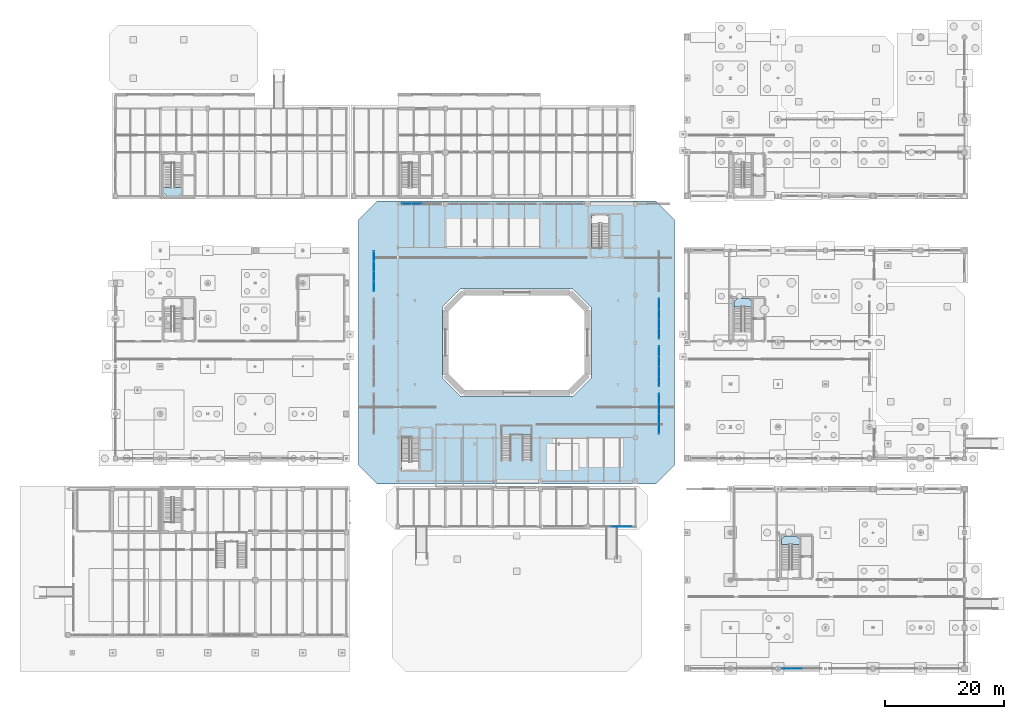
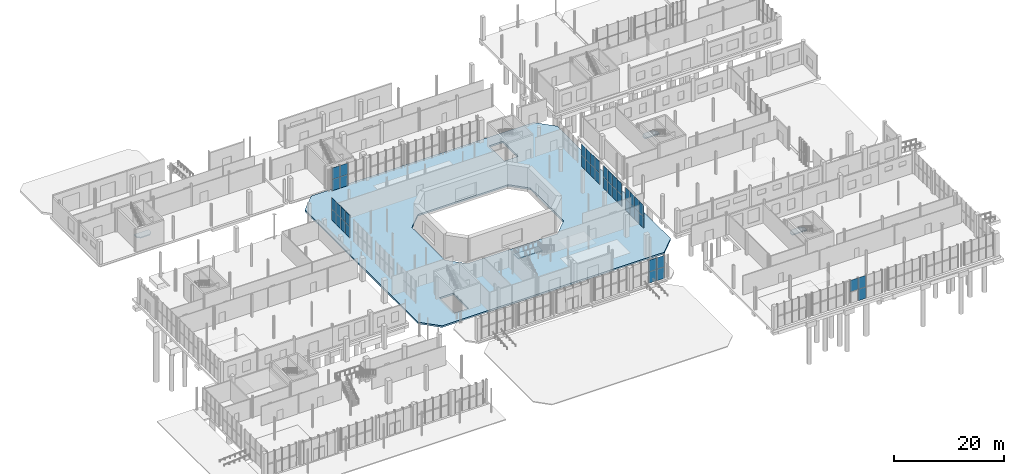
# One storey, part 60 of 87: 43 plates, 5 slabs, 11 elements without a shape of their own.
"""IFC4 building model written with IfcOpenShell, lengths in metres."""

from ifc_helpers import new_model, si_unit, direction, frame, origin, origin_2d, place, context, subcontext, project, spatial, polyline, rectangle, outline, extrude, material, layer, layer_set, type_object, element, aggregate, save


model = new_model("IFC4")

# Units and contexts
model_context = context("Model", 3, precision=1e-05, world=origin(), true_north=direction((0.0, 1.0)))
body_context = subcontext(model_context, "Body", "Model", "MODEL_VIEW")
ifc_project = project(units=[si_unit("LENGTHUNIT", "METRE"), si_unit("AREAUNIT", "SQUARE_METRE"), si_unit("VOLUMEUNIT", "CUBIC_METRE"), si_unit("PLANEANGLEUNIT", "RADIAN"), si_unit("MASSUNIT", "GRAM", prefix="KILO")], contexts=[model_context])

# Site, building, storey
site_placement = place(None, origin())
site = spatial("IfcSite", under=ifc_project, at=site_placement, CompositionType="ELEMENT")
building_placement = place(site_placement, origin())
building = spatial("IfcBuilding", under=site, at=building_placement, Name="Brisemont Oceanarium", CompositionType="ELEMENT")
storey_placement = place(building_placement, origin())
storey = spatial("IfcBuildingStorey", under=building, at=storey_placement, Name="L00", CompositionType="ELEMENT", Elevation=0.0)

# Curtain wall, plates
ifc_material_1 = material(Name="Anodized Extruded Aluminum 6063-T6", Category="aluminium")
curtain_wall_type_1 = type_object("IfcCurtainWallType", Name="CW-ROT-69X50", PredefinedType="NOTDEFINED", material=ifc_material_1)
curtain_wall_1_placement = place(storey_placement, origin())
curtain_wall_1 = element("IfcCurtainWall", 1, at=curtain_wall_1_placement, inside=storey, type_object=curtain_wall_type_1, Name="CW-01 curtain wall CW-V1-N-L00-01", PredefinedType="NOTDEFINED")
ifc_material_2 = material(Name="Insulated Low-E Laminated Glass", Category="glass")
ifc_layer_1 = layer(ifc_material_2, 0.028076171875)
ifc_layer_set_1 = layer_set([ifc_layer_1], Name="Insulated Low-E Laminated Glass")
plate_type_1 = type_object("IfcPlateType", Name="PLT-CWP-V1", PredefinedType="CURTAIN_PANEL", material=ifc_layer_set_1)
plate_1_placement = place(storey_placement, frame((65.487548828125, 79.35009765625, 0.00146484375), z_axis=(0.0, 0.0, 1.0), x_axis=(1.0, 0.0, 0.0)))
plate_1 = element("IfcPlate", 2, at=plate_1_placement, type_object=plate_type_1, Name="CW-V1-N-L00-01 panel 1.1", PredefinedType="CURTAIN_PANEL", context=body_context, shape_type="SweptSolid", body=[
    extrude(rectangle(XDim=1.672119140625, YDim=0.028076171875, at=origin_2d()), origin(), (0.0, 0.0, 1.0), 2.527099609375),
])
plate_2_placement = place(storey_placement, frame((65.487548828125, 79.35009765625, 2.53125), z_axis=(0.0, 0.0, 1.0), x_axis=(1.0, 0.0, 0.0)))
plate_2 = element("IfcPlate", 3, at=plate_2_placement, type_object=plate_type_1, Name="CW-V1-N-L00-01 panel 1.2", PredefinedType="CURTAIN_PANEL", context=body_context, shape_type="SweptSolid", body=[
    extrude(rectangle(XDim=1.672119140625, YDim=0.028076171875, at=origin_2d()), origin(), (0.0, 0.0, 1.0), 2.527099609375),
])
plate_3_placement = place(storey_placement, frame((67.16259765625, 79.35009765625, 0.00146484375), z_axis=(0.0, 0.0, 1.0), x_axis=(1.0, 0.0, 0.0)))
plate_3 = element("IfcPlate", 4, at=plate_3_placement, type_object=plate_type_1, Name="CW-V1-N-L00-01 panel 2.1", PredefinedType="CURTAIN_PANEL", context=body_context, shape_type="SweptSolid", body=[
    extrude(rectangle(XDim=1.672119140625, YDim=0.028076171875, at=origin_2d()), origin(), (0.0, 0.0, 1.0), 2.527099609375),
])
plate_4_placement = place(storey_placement, frame((67.16259765625, 79.35009765625, 2.53125), z_axis=(0.0, 0.0, 1.0), x_axis=(1.0, 0.0, 0.0)))
plate_4 = element("IfcPlate", 5, at=plate_4_placement, type_object=plate_type_1, Name="CW-V1-N-L00-01 panel 2.2", PredefinedType="CURTAIN_PANEL", context=body_context, shape_type="SweptSolid", body=[
    extrude(rectangle(XDim=1.672119140625, YDim=0.028076171875, at=origin_2d()), origin(), (0.0, 0.0, 1.0), 2.527099609375),
])
aggregate(curtain_wall_1, [plate_1, plate_2, plate_3, plate_4])

curtain_wall_2_placement = place(storey_placement, origin())
curtain_wall_2 = element("IfcCurtainWall", 6, at=curtain_wall_2_placement, inside=storey, type_object=curtain_wall_type_1, Name="CW-01 curtain wall CW-V1-W-L00-04", PredefinedType="NOTDEFINED")
plate_5_placement = place(storey_placement, frame((60.0, 65.487548828125, 0.00146484375), z_axis=(0.0, 0.0, 1.0), x_axis=(0.0, 1.0, 0.0)))
plate_5 = element("IfcPlate", 7, at=plate_5_placement, type_object=plate_type_1, Name="CW-V1-W-L00-04 panel 1.1", PredefinedType="CURTAIN_PANEL", context=body_context, shape_type="SweptSolid", body=[
    extrude(rectangle(XDim=1.672119140625, YDim=0.028076171875, at=origin_2d()), origin(), (0.0, 0.0, 1.0), 2.527099609375),
])
plate_6_placement = place(storey_placement, frame((60.0, 65.487548828125, 2.53125), z_axis=(0.0, 0.0, 1.0), x_axis=(0.0, 1.0, 0.0)))
plate_6 = element("IfcPlate", 8, at=plate_6_placement, type_object=plate_type_1, Name="CW-V1-W-L00-04 panel 1.2", PredefinedType="CURTAIN_PANEL", context=body_context, shape_type="SweptSolid", body=[
    extrude(rectangle(XDim=1.672119140625, YDim=0.028076171875, at=origin_2d()), origin(), (0.0, 0.0, 1.0), 2.527099609375),
])
plate_7_placement = place(storey_placement, frame((60.0, 67.16259765625, 0.00146484375), z_axis=(0.0, 0.0, 1.0), x_axis=(0.0, 1.0, 0.0)))
plate_7 = element("IfcPlate", 9, at=plate_7_placement, type_object=plate_type_1, Name="CW-V1-W-L00-04 panel 2.1", PredefinedType="CURTAIN_PANEL", context=body_context, shape_type="SweptSolid", body=[
    extrude(rectangle(XDim=1.672119140625, YDim=0.028076171875, at=origin_2d()), origin(), (0.0, 0.0, 1.0), 2.527099609375),
])
plate_8_placement = place(storey_placement, frame((60.0, 67.16259765625, 2.53125), z_axis=(0.0, 0.0, 1.0), x_axis=(0.0, 1.0, 0.0)))
plate_8 = element("IfcPlate", 10, at=plate_8_placement, type_object=plate_type_1, Name="CW-V1-W-L00-04 panel 2.2", PredefinedType="CURTAIN_PANEL", context=body_context, shape_type="SweptSolid", body=[
    extrude(rectangle(XDim=1.672119140625, YDim=0.028076171875, at=origin_2d()), origin(), (0.0, 0.0, 1.0), 2.527099609375),
])
plate_9_placement = place(storey_placement, frame((60.0, 68.83740234375, 0.00146484375), z_axis=(0.0, 0.0, 1.0), x_axis=(0.0, 1.0, 0.0)))
plate_9 = element("IfcPlate", 11, at=plate_9_placement, type_object=plate_type_1, Name="CW-V1-W-L00-04 panel 3.1", PredefinedType="CURTAIN_PANEL", context=body_context, shape_type="SweptSolid", body=[
    extrude(rectangle(XDim=1.672119140625, YDim=0.028076171875, at=origin_2d()), origin(), (0.0, 0.0, 1.0), 2.527099609375),
])
plate_10_placement = place(storey_placement, frame((60.0, 68.83740234375, 2.53125), z_axis=(0.0, 0.0, 1.0), x_axis=(0.0, 1.0, 0.0)))
plate_10 = element("IfcPlate", 12, at=plate_10_placement, type_object=plate_type_1, Name="CW-V1-W-L00-04 panel 3.2", PredefinedType="CURTAIN_PANEL", context=body_context, shape_type="SweptSolid", body=[
    extrude(rectangle(XDim=1.672119140625, YDim=0.028076171875, at=origin_2d()), origin(), (0.0, 0.0, 1.0), 2.527099609375),
])
plate_11_placement = place(storey_placement, frame((60.0, 70.512451171875, 0.00146484375), z_axis=(0.0, 0.0, 1.0), x_axis=(0.0, 1.0, 0.0)))
plate_11 = element("IfcPlate", 13, at=plate_11_placement, type_object=plate_type_1, Name="CW-V1-W-L00-04 panel 4.1", PredefinedType="CURTAIN_PANEL", context=body_context, shape_type="SweptSolid", body=[
    extrude(rectangle(XDim=1.672119140625, YDim=0.028076171875, at=origin_2d()), origin(), (0.0, 0.0, 1.0), 2.527099609375),
])
plate_12_placement = place(storey_placement, frame((60.0, 70.512451171875, 2.53125), z_axis=(0.0, 0.0, 1.0), x_axis=(0.0, 1.0, 0.0)))
plate_12 = element("IfcPlate", 14, at=plate_12_placement, type_object=plate_type_1, Name="CW-V1-W-L00-04 panel 4.2", PredefinedType="CURTAIN_PANEL", context=body_context, shape_type="SweptSolid", body=[
    extrude(rectangle(XDim=1.672119140625, YDim=0.028076171875, at=origin_2d()), origin(), (0.0, 0.0, 1.0), 2.527099609375),
])
aggregate(curtain_wall_2, [plate_5, plate_6, plate_7, plate_8, plate_9, plate_10, plate_11, plate_12])

curtain_wall_3_placement = place(storey_placement, origin())
curtain_wall_3 = element("IfcCurtainWall", 15, at=curtain_wall_3_placement, inside=storey, type_object=curtain_wall_type_1, Name="CW-01 curtain wall CW-V1-E-L00-01", PredefinedType="NOTDEFINED")
plate_13_placement = place(storey_placement, frame((108.0, 41.487548828125, 0.00146484375), z_axis=(0.0, 0.0, 1.0), x_axis=(0.0, 1.0, 0.0)))
plate_13 = element("IfcPlate", 16, at=plate_13_placement, type_object=plate_type_1, Name="CW-V1-E-L00-01 panel 1.1", PredefinedType="CURTAIN_PANEL", context=body_context, shape_type="SweptSolid", body=[
    extrude(rectangle(XDim=1.672119140625, YDim=0.028076171875, at=origin_2d()), origin(), (0.0, 0.0, 1.0), 2.527099609375),
])
plate_14_placement = place(storey_placement, frame((108.0, 41.487548828125, 2.53125), z_axis=(0.0, 0.0, 1.0), x_axis=(0.0, 1.0, 0.0)))
plate_14 = element("IfcPlate", 17, at=plate_14_placement, type_object=plate_type_1, Name="CW-V1-E-L00-01 panel 1.2", PredefinedType="CURTAIN_PANEL", context=body_context, shape_type="SweptSolid", body=[
    extrude(rectangle(XDim=1.672119140625, YDim=0.028076171875, at=origin_2d()), origin(), (0.0, 0.0, 1.0), 2.527099609375),
])
plate_15_placement = place(storey_placement, frame((108.0, 43.16259765625, 0.00146484375), z_axis=(0.0, 0.0, 1.0), x_axis=(0.0, 1.0, 0.0)))
plate_15 = element("IfcPlate", 18, at=plate_15_placement, type_object=plate_type_1, Name="CW-V1-E-L00-01 panel 2.1", PredefinedType="CURTAIN_PANEL", context=body_context, shape_type="SweptSolid", body=[
    extrude(rectangle(XDim=1.672119140625, YDim=0.028076171875, at=origin_2d()), origin(), (0.0, 0.0, 1.0), 2.527099609375),
])
plate_16_placement = place(storey_placement, frame((108.0, 43.16259765625, 2.53125), z_axis=(0.0, 0.0, 1.0), x_axis=(0.0, 1.0, 0.0)))
plate_16 = element("IfcPlate", 19, at=plate_16_placement, type_object=plate_type_1, Name="CW-V1-E-L00-01 panel 2.2", PredefinedType="CURTAIN_PANEL", context=body_context, shape_type="SweptSolid", body=[
    extrude(rectangle(XDim=1.672119140625, YDim=0.028076171875, at=origin_2d()), origin(), (0.0, 0.0, 1.0), 2.527099609375),
])
plate_17_placement = place(storey_placement, frame((108.0, 44.83740234375, 0.00146484375), z_axis=(0.0, 0.0, 1.0), x_axis=(0.0, 1.0, 0.0)))
plate_17 = element("IfcPlate", 20, at=plate_17_placement, type_object=plate_type_1, Name="CW-V1-E-L00-01 panel 3.1", PredefinedType="CURTAIN_PANEL", context=body_context, shape_type="SweptSolid", body=[
    extrude(rectangle(XDim=1.672119140625, YDim=0.028076171875, at=origin_2d()), origin(), (0.0, 0.0, 1.0), 2.527099609375),
])
plate_18_placement = place(storey_placement, frame((108.0, 44.83740234375, 2.53125), z_axis=(0.0, 0.0, 1.0), x_axis=(0.0, 1.0, 0.0)))
plate_18 = element("IfcPlate", 21, at=plate_18_placement, type_object=plate_type_1, Name="CW-V1-E-L00-01 panel 3.2", PredefinedType="CURTAIN_PANEL", context=body_context, shape_type="SweptSolid", body=[
    extrude(rectangle(XDim=1.672119140625, YDim=0.028076171875, at=origin_2d()), origin(), (0.0, 0.0, 1.0), 2.527099609375),
])
plate_19_placement = place(storey_placement, frame((108.0, 46.512451171875, 0.00146484375), z_axis=(0.0, 0.0, 1.0), x_axis=(0.0, 1.0, 0.0)))
plate_19 = element("IfcPlate", 22, at=plate_19_placement, type_object=plate_type_1, Name="CW-V1-E-L00-01 panel 4.1", PredefinedType="CURTAIN_PANEL", context=body_context, shape_type="SweptSolid", body=[
    extrude(rectangle(XDim=1.672119140625, YDim=0.028076171875, at=origin_2d()), origin(), (0.0, 0.0, 1.0), 2.527099609375),
])
plate_20_placement = place(storey_placement, frame((108.0, 46.512451171875, 2.53125), z_axis=(0.0, 0.0, 1.0), x_axis=(0.0, 1.0, 0.0)))
plate_20 = element("IfcPlate", 23, at=plate_20_placement, type_object=plate_type_1, Name="CW-V1-E-L00-01 panel 4.2", PredefinedType="CURTAIN_PANEL", context=body_context, shape_type="SweptSolid", body=[
    extrude(rectangle(XDim=1.672119140625, YDim=0.028076171875, at=origin_2d()), origin(), (0.0, 0.0, 1.0), 2.527099609375),
])
aggregate(curtain_wall_3, [plate_13, plate_14, plate_15, plate_16, plate_17, plate_18, plate_19, plate_20])

curtain_wall_4_placement = place(storey_placement, origin())
curtain_wall_4 = element("IfcCurtainWall", 24, at=curtain_wall_4_placement, inside=storey, type_object=curtain_wall_type_1, Name="CW-01 curtain wall CW-V1-E-L00-02", PredefinedType="NOTDEFINED")
plate_21_placement = place(storey_placement, frame((108.0, 49.487548828125, 0.00146484375), z_axis=(0.0, 0.0, 1.0), x_axis=(0.0, 1.0, 0.0)))
plate_21 = element("IfcPlate", 25, at=plate_21_placement, type_object=plate_type_1, Name="CW-V1-E-L00-02 panel 1.1", PredefinedType="CURTAIN_PANEL", context=body_context, shape_type="SweptSolid", body=[
    extrude(rectangle(XDim=1.672119140625, YDim=0.028076171875, at=origin_2d()), origin(), (0.0, 0.0, 1.0), 2.527099609375),
])
plate_22_placement = place(storey_placement, frame((108.0, 49.487548828125, 2.53125), z_axis=(0.0, 0.0, 1.0), x_axis=(0.0, 1.0, 0.0)))
plate_22 = element("IfcPlate", 26, at=plate_22_placement, type_object=plate_type_1, Name="CW-V1-E-L00-02 panel 1.2", PredefinedType="CURTAIN_PANEL", context=body_context, shape_type="SweptSolid", body=[
    extrude(rectangle(XDim=1.672119140625, YDim=0.028076171875, at=origin_2d()), origin(), (0.0, 0.0, 1.0), 2.527099609375),
])
plate_23_placement = place(storey_placement, frame((108.0, 51.16259765625, 0.00146484375), z_axis=(0.0, 0.0, 1.0), x_axis=(0.0, 1.0, 0.0)))
plate_23 = element("IfcPlate", 27, at=plate_23_placement, type_object=plate_type_1, Name="CW-V1-E-L00-02 panel 2.1", PredefinedType="CURTAIN_PANEL", context=body_context, shape_type="SweptSolid", body=[
    extrude(rectangle(XDim=1.672119140625, YDim=0.028076171875, at=origin_2d()), origin(), (0.0, 0.0, 1.0), 2.527099609375),
])
plate_24_placement = place(storey_placement, frame((108.0, 51.16259765625, 2.53125), z_axis=(0.0, 0.0, 1.0), x_axis=(0.0, 1.0, 0.0)))
plate_24 = element("IfcPlate", 28, at=plate_24_placement, type_object=plate_type_1, Name="CW-V1-E-L00-02 panel 2.2", PredefinedType="CURTAIN_PANEL", context=body_context, shape_type="SweptSolid", body=[
    extrude(rectangle(XDim=1.672119140625, YDim=0.028076171875, at=origin_2d()), origin(), (0.0, 0.0, 1.0), 2.527099609375),
])
plate_25_placement = place(storey_placement, frame((108.0, 52.83740234375, 0.00146484375), z_axis=(0.0, 0.0, 1.0), x_axis=(0.0, 1.0, 0.0)))
plate_25 = element("IfcPlate", 29, at=plate_25_placement, type_object=plate_type_1, Name="CW-V1-E-L00-02 panel 3.1", PredefinedType="CURTAIN_PANEL", context=body_context, shape_type="SweptSolid", body=[
    extrude(rectangle(XDim=1.672119140625, YDim=0.028076171875, at=origin_2d()), origin(), (0.0, 0.0, 1.0), 2.527099609375),
])
plate_26_placement = place(storey_placement, frame((108.0, 52.83740234375, 2.53125), z_axis=(0.0, 0.0, 1.0), x_axis=(0.0, 1.0, 0.0)))
plate_26 = element("IfcPlate", 30, at=plate_26_placement, type_object=plate_type_1, Name="CW-V1-E-L00-02 panel 3.2", PredefinedType="CURTAIN_PANEL", context=body_context, shape_type="SweptSolid", body=[
    extrude(rectangle(XDim=1.672119140625, YDim=0.028076171875, at=origin_2d()), origin(), (0.0, 0.0, 1.0), 2.527099609375),
])
plate_27_placement = place(storey_placement, frame((108.0, 54.512451171875, 0.00146484375), z_axis=(0.0, 0.0, 1.0), x_axis=(0.0, 1.0, 0.0)))
plate_27 = element("IfcPlate", 31, at=plate_27_placement, type_object=plate_type_1, Name="CW-V1-E-L00-02 panel 4.1", PredefinedType="CURTAIN_PANEL", context=body_context, shape_type="SweptSolid", body=[
    extrude(rectangle(XDim=1.672119140625, YDim=0.028076171875, at=origin_2d()), origin(), (0.0, 0.0, 1.0), 2.527099609375),
])
plate_28_placement = place(storey_placement, frame((108.0, 54.512451171875, 2.53125), z_axis=(0.0, 0.0, 1.0), x_axis=(0.0, 1.0, 0.0)))
plate_28 = element("IfcPlate", 32, at=plate_28_placement, type_object=plate_type_1, Name="CW-V1-E-L00-02 panel 4.2", PredefinedType="CURTAIN_PANEL", context=body_context, shape_type="SweptSolid", body=[
    extrude(rectangle(XDim=1.672119140625, YDim=0.028076171875, at=origin_2d()), origin(), (0.0, 0.0, 1.0), 2.527099609375),
])
aggregate(curtain_wall_4, [plate_21, plate_22, plate_23, plate_24, plate_25, plate_26, plate_27, plate_28])

curtain_wall_5_placement = place(storey_placement, origin())
curtain_wall_5 = element("IfcCurtainWall", 33, at=curtain_wall_5_placement, inside=storey, type_object=curtain_wall_type_1, Name="CW-01 curtain wall CW-V1-E-L00-03", PredefinedType="NOTDEFINED")
plate_29_placement = place(storey_placement, frame((108.0, 57.487548828125, 0.00146484375), z_axis=(0.0, 0.0, 1.0), x_axis=(0.0, 1.0, 0.0)))
plate_29 = element("IfcPlate", 34, at=plate_29_placement, type_object=plate_type_1, Name="CW-V1-E-L00-03 panel 1.1", PredefinedType="CURTAIN_PANEL", context=body_context, shape_type="SweptSolid", body=[
    extrude(rectangle(XDim=1.672119140625, YDim=0.028076171875, at=origin_2d()), origin(), (0.0, 0.0, 1.0), 2.527099609375),
])
plate_30_placement = place(storey_placement, frame((108.0, 57.487548828125, 2.53125), z_axis=(0.0, 0.0, 1.0), x_axis=(0.0, 1.0, 0.0)))
plate_30 = element("IfcPlate", 35, at=plate_30_placement, type_object=plate_type_1, Name="CW-V1-E-L00-03 panel 1.2", PredefinedType="CURTAIN_PANEL", context=body_context, shape_type="SweptSolid", body=[
    extrude(rectangle(XDim=1.672119140625, YDim=0.028076171875, at=origin_2d()), origin(), (0.0, 0.0, 1.0), 2.527099609375),
])
plate_31_placement = place(storey_placement, frame((108.0, 59.16259765625, 0.00146484375), z_axis=(0.0, 0.0, 1.0), x_axis=(0.0, 1.0, 0.0)))
plate_31 = element("IfcPlate", 36, at=plate_31_placement, type_object=plate_type_1, Name="CW-V1-E-L00-03 panel 2.1", PredefinedType="CURTAIN_PANEL", context=body_context, shape_type="SweptSolid", body=[
    extrude(rectangle(XDim=1.672119140625, YDim=0.028076171875, at=origin_2d()), origin(), (0.0, 0.0, 1.0), 2.527099609375),
])
plate_32_placement = place(storey_placement, frame((108.0, 59.16259765625, 2.53125), z_axis=(0.0, 0.0, 1.0), x_axis=(0.0, 1.0, 0.0)))
plate_32 = element("IfcPlate", 37, at=plate_32_placement, type_object=plate_type_1, Name="CW-V1-E-L00-03 panel 2.2", PredefinedType="CURTAIN_PANEL", context=body_context, shape_type="SweptSolid", body=[
    extrude(rectangle(XDim=1.672119140625, YDim=0.028076171875, at=origin_2d()), origin(), (0.0, 0.0, 1.0), 2.527099609375),
])
plate_33_placement = place(storey_placement, frame((108.0, 60.83740234375, 0.00146484375), z_axis=(0.0, 0.0, 1.0), x_axis=(0.0, 1.0, 0.0)))
plate_33 = element("IfcPlate", 38, at=plate_33_placement, type_object=plate_type_1, Name="CW-V1-E-L00-03 panel 3.1", PredefinedType="CURTAIN_PANEL", context=body_context, shape_type="SweptSolid", body=[
    extrude(rectangle(XDim=1.672119140625, YDim=0.028076171875, at=origin_2d()), origin(), (0.0, 0.0, 1.0), 2.527099609375),
])
plate_34_placement = place(storey_placement, frame((108.0, 60.83740234375, 2.53125), z_axis=(0.0, 0.0, 1.0), x_axis=(0.0, 1.0, 0.0)))
plate_34 = element("IfcPlate", 39, at=plate_34_placement, type_object=plate_type_1, Name="CW-V1-E-L00-03 panel 3.2", PredefinedType="CURTAIN_PANEL", context=body_context, shape_type="SweptSolid", body=[
    extrude(rectangle(XDim=1.672119140625, YDim=0.028076171875, at=origin_2d()), origin(), (0.0, 0.0, 1.0), 2.527099609375),
])
plate_35_placement = place(storey_placement, frame((108.0, 62.512451171875, 0.00146484375), z_axis=(0.0, 0.0, 1.0), x_axis=(0.0, 1.0, 0.0)))
plate_35 = element("IfcPlate", 40, at=plate_35_placement, type_object=plate_type_1, Name="CW-V1-E-L00-03 panel 4.1", PredefinedType="CURTAIN_PANEL", context=body_context, shape_type="SweptSolid", body=[
    extrude(rectangle(XDim=1.672119140625, YDim=0.028076171875, at=origin_2d()), origin(), (0.0, 0.0, 1.0), 2.527099609375),
])
plate_36_placement = place(storey_placement, frame((108.0, 62.512451171875, 2.53125), z_axis=(0.0, 0.0, 1.0), x_axis=(0.0, 1.0, 0.0)))
plate_36 = element("IfcPlate", 41, at=plate_36_placement, type_object=plate_type_1, Name="CW-V1-E-L00-03 panel 4.2", PredefinedType="CURTAIN_PANEL", context=body_context, shape_type="SweptSolid", body=[
    extrude(rectangle(XDim=1.672119140625, YDim=0.028076171875, at=origin_2d()), origin(), (0.0, 0.0, 1.0), 2.527099609375),
])
aggregate(curtain_wall_5, [plate_29, plate_30, plate_31, plate_32, plate_33, plate_34, plate_35, plate_36])

ifc_material_3 = material(Name="Anodized Extruded Aluminum 6063-T6", Category="aluminium")
curtain_wall_type_2 = type_object("IfcCurtainWallType", Name="CW-POR-69X50", PredefinedType="NOTDEFINED", material=ifc_material_3)
curtain_wall_6_placement = place(storey_placement, origin())
curtain_wall_6 = element("IfcCurtainWall", 42, at=curtain_wall_6_placement, inside=storey, type_object=curtain_wall_type_2, Name="CW-19 curtain wall CW-V1P-S-L00-05", PredefinedType="NOTDEFINED")
ifc_material_4 = material(Name="Insulated Low-E Laminated Glass", Category="glass")
ifc_layer_2 = layer(ifc_material_4, 0.030029296875)
ifc_layer_set_2 = layer_set([ifc_layer_2], Name="Insulated Low-E Laminated Glass")
plate_type_2 = type_object("IfcPlateType", Name="PLT-CWP-V4", PredefinedType="CURTAIN_PANEL", material=ifc_layer_set_2)
plate_37_placement = place(storey_placement, frame((100.83740234375, 25.0, 0.00146484375), z_axis=(0.0, 0.0, 1.0), x_axis=(1.0, 0.0, 0.0)))
plate_37 = element("IfcPlate", 43, at=plate_37_placement, type_object=plate_type_2, Name="CW-V1P-S-L00-05 panel 3.1", PredefinedType="CURTAIN_PANEL", context=body_context, shape_type="SweptSolid", body=[
    extrude(rectangle(XDim=1.672119140625, YDim=0.030029296875, at=origin_2d()), origin(), (0.0, 0.0, 1.0), 2.547119140625),
])
plate_38_placement = place(storey_placement, frame((100.83740234375, 25.0, 2.55126953125), z_axis=(0.0, 0.0, 1.0), x_axis=(1.0, 0.0, 0.0)))
plate_38 = element("IfcPlate", 44, at=plate_38_placement, type_object=plate_type_2, Name="CW-V1P-S-L00-05 panel 3.2", PredefinedType="CURTAIN_PANEL", context=body_context, shape_type="SweptSolid", body=[
    extrude(rectangle(XDim=1.672119140625, YDim=0.030029296875, at=origin_2d()), origin(), (0.0, 0.0, 1.0), 2.547119140625),
])
plate_39_placement = place(storey_placement, frame((102.512451171875, 25.0, 0.00146484375), z_axis=(0.0, 0.0, 1.0), x_axis=(1.0, 0.0, 0.0)))
plate_39 = element("IfcPlate", 45, at=plate_39_placement, type_object=plate_type_2, Name="CW-V1P-S-L00-05 panel 4.1", PredefinedType="CURTAIN_PANEL", context=body_context, shape_type="SweptSolid", body=[
    extrude(rectangle(XDim=1.672119140625, YDim=0.030029296875, at=origin_2d()), origin(), (0.0, 0.0, 1.0), 2.547119140625),
])
plate_40_placement = place(storey_placement, frame((102.512451171875, 25.0, 2.55126953125), z_axis=(0.0, 0.0, 1.0), x_axis=(1.0, 0.0, 0.0)))
plate_40 = element("IfcPlate", 46, at=plate_40_placement, type_object=plate_type_2, Name="CW-V1P-S-L00-05 panel 4.2", PredefinedType="CURTAIN_PANEL", context=body_context, shape_type="SweptSolid", body=[
    extrude(rectangle(XDim=1.672119140625, YDim=0.030029296875, at=origin_2d()), origin(), (0.0, 0.0, 1.0), 2.547119140625),
])
aggregate(curtain_wall_6, [plate_37, plate_38, plate_39, plate_40])

ifc_material_5 = material(Name="Anodized Extruded Aluminum 6063-T6", Category="aluminium")
curtain_wall_type_3 = type_object("IfcCurtainWallType", Name="CW-EDU-69X45", PredefinedType="NOTDEFINED", material=ifc_material_5)
curtain_wall_7_placement = place(storey_placement, origin())
curtain_wall_7 = element("IfcCurtainWall", 47, at=curtain_wall_7_placement, inside=storey, type_object=curtain_wall_type_3, Name="CW-07 curtain wall CW-V3-S-L00-03", PredefinedType="NOTDEFINED")
ifc_material_6 = material(Name="Insulated Low-E Laminated Glass", Category="glass")
ifc_layer_3 = layer(ifc_material_6, 0.028076171875)
ifc_layer_set_3 = layer_set([ifc_layer_3], Name="Insulated Low-E Laminated Glass")
plate_type_3 = type_object("IfcPlateType", Name="PLT-CWP-V7", PredefinedType="CURTAIN_PANEL", material=ifc_layer_set_3)
plate_41_placement = place(storey_placement, frame((129.487548828125, 1.10009765625, 2.55126953125), z_axis=(0.0, 0.0, 1.0), x_axis=(1.0, 0.0, 0.0)))
plate_41 = element("IfcPlate", 48, at=plate_41_placement, type_object=plate_type_3, Name="CW-V3-S-L00-03 panel 1.2", PredefinedType="CURTAIN_PANEL", context=body_context, shape_type="SweptSolid", body=[
    extrude(rectangle(XDim=1.672119140625, YDim=0.028076171875, at=origin_2d()), origin(), (0.0, 0.0, 1.0), 2.547119140625),
])
plate_42_placement = place(storey_placement, frame((131.16259765625, 1.10009765625, 0.00146484375), z_axis=(0.0, 0.0, 1.0), x_axis=(1.0, 0.0, 0.0)))
plate_42 = element("IfcPlate", 49, at=plate_42_placement, type_object=plate_type_3, Name="CW-V3-S-L00-03 panel 2.1", PredefinedType="CURTAIN_PANEL", context=body_context, shape_type="SweptSolid", body=[
    extrude(rectangle(XDim=1.672119140625, YDim=0.028076171875, at=origin_2d()), origin(), (0.0, 0.0, 1.0), 2.547119140625),
])
plate_43_placement = place(storey_placement, frame((131.16259765625, 1.10009765625, 2.55126953125), z_axis=(0.0, 0.0, 1.0), x_axis=(1.0, 0.0, 0.0)))
plate_43 = element("IfcPlate", 50, at=plate_43_placement, type_object=plate_type_3, Name="CW-V3-S-L00-03 panel 2.2", PredefinedType="CURTAIN_PANEL", context=body_context, shape_type="SweptSolid", body=[
    extrude(rectangle(XDim=1.672119140625, YDim=0.028076171875, at=origin_2d()), origin(), (0.0, 0.0, 1.0), 2.547119140625),
])
aggregate(curtain_wall_7, [plate_41, plate_42, plate_43])

# Slab
ifc_material_7 = material(Name="Concrete C40/50", Category="concrete")
ifc_layer_4 = layer(ifc_material_7, 0.3798828125)
ifc_layer_set_4 = layer_set([ifc_layer_4], Name="Concrete C40/50")
slab_type_1 = type_object("IfcSlabType", Name="SLB-FLR-380", PredefinedType="FLOOR", material=ifc_layer_set_4)
slab_1_placement = place(storey_placement, frame((0.0, 0.0, -0.3798828125)))
element("IfcSlab", 51, at=slab_1_placement, inside=storey, type_object=slab_type_1, Name="V1 L00 floor slab", PredefinedType="FLOOR", context=body_context, shape_type="SweptSolid", body=[
    extrude(outline(polyline([(60.60009765625, 32.14990234375), (107.39990234375, 32.14990234375), (110.60009765625, 35.35009765625), (110.60009765625, 76.64990234375), (107.39990234375, 79.85009765625), (60.60009765625, 79.85009765625), (57.39990234375, 76.64990234375), (57.39990234375, 35.35009765625), (60.60009765625, 32.14990234375)]), holes=[polyline([(74.5, 47.0), (93.5, 47.0), (96.5, 50.0), (96.5, 62.0), (93.5, 65.0), (74.5, 65.0), (71.5, 62.0), (71.5, 50.0), (74.5, 47.0)]), polyline([(64.669921875, 34.570068359375), (67.570068359375, 34.570068359375), (67.570068359375, 40.110107421875), (64.669921875, 40.110107421875), (64.669921875, 34.570068359375)]), polyline([(96.669921875, 71.889892578125), (99.570068359375, 71.889892578125), (99.570068359375, 77.429931640625), (96.669921875, 77.429931640625), (96.669921875, 71.889892578125)])]), origin(), (0.0, 0.0, 1.0), 0.3798828125),
])

# Stair, slab
ifc_material_8 = material(Name="Concrete C40/50", Category="concrete")
stair_type_1 = type_object("IfcStairType", Name="STR-CORE-124-54", PredefinedType="HALF_TURN_STAIR", material=ifc_material_8)
stair_1_placement = place(storey_placement, origin())
stair_1 = element("IfcStair", 52, at=stair_1_placement, inside=storey, type_object=stair_type_1, Name="Exit stair ST-04 L00 to L01", PredefinedType="HALF_TURN_STAIR")
ifc_material_9 = material(Name="Concrete C40/50", Category="concrete")
ifc_layer_5 = layer(ifc_material_9, 0.219970703125)
ifc_layer_set_5 = layer_set([ifc_layer_5], Name="Concrete C40/50")
slab_type_2 = type_object("IfcSlabType", Name="SLB-LANDING-220", PredefinedType="LANDING", material=ifc_layer_set_5)
slab_2_placement = place(storey_placement, frame((0.0, 0.0, 2.47998046875)))
slab_2 = element("IfcSlab", 53, at=slab_2_placement, type_object=slab_type_2, Name="ST-04 L00 half-landing", PredefinedType="LANDING", context=body_context, shape_type="SweptSolid", body=[
    extrude(outline(polyline([(128.570068359375, 21.989990234375), (131.64990234375, 21.989990234375), (131.64990234375, 22.8701171875), (131.10009765625, 23.419921875), (129.1201171875, 23.419921875), (128.570068359375, 22.8701171875), (128.570068359375, 21.989990234375)])), origin(), (0.0, 0.0, 1.0), 0.219970703125),
])
aggregate(stair_1, [slab_2])

ifc_material_10 = material(Name="Concrete C40/50", Category="concrete")
stair_type_2 = type_object("IfcStairType", Name="STR-CORE-120-54", PredefinedType="HALF_TURN_STAIR", material=ifc_material_10)
stair_2_placement = place(storey_placement, origin())
stair_2 = element("IfcStair", 54, at=stair_2_placement, inside=storey, type_object=stair_type_2, Name="Exit stair ST-06 L00 to L01", PredefinedType="HALF_TURN_STAIR")
slab_3_placement = place(storey_placement, frame((0.0, 0.0, 2.47998046875)))
slab_3 = element("IfcSlab", 55, at=slab_3_placement, type_object=slab_type_2, Name="ST-06 L00 half-landing", PredefinedType="LANDING", context=body_context, shape_type="SweptSolid", body=[
    extrude(outline(polyline([(120.570068359375, 61.989990234375), (123.64990234375, 61.989990234375), (123.64990234375, 62.8701171875), (123.10009765625, 63.419921875), (121.1201171875, 63.419921875), (120.570068359375, 62.8701171875), (120.570068359375, 61.989990234375)])), origin(), (0.0, 0.0, 1.0), 0.219970703125),
])
aggregate(stair_2, [slab_3])

stair_3_placement = place(storey_placement, origin())
stair_3 = element("IfcStair", 56, at=stair_3_placement, inside=storey, type_object=stair_type_2, Name="Exit stair ST-09 L00 to L01", PredefinedType="HALF_TURN_STAIR")
slab_4_placement = place(storey_placement, frame((0.0, 0.0, 2.47998046875)))
slab_4 = element("IfcSlab", 57, at=slab_4_placement, type_object=slab_type_2, Name="ST-09 L00 half-landing", PredefinedType="LANDING", context=body_context, shape_type="SweptSolid", body=[
    extrude(outline(polyline([(25.1201171875, 80.679931640625), (27.10009765625, 80.679931640625), (27.64990234375, 81.22998046875), (27.64990234375, 82.110107421875), (24.570068359375, 82.110107421875), (24.570068359375, 81.22998046875), (25.1201171875, 80.679931640625)])), origin(), (0.0, 0.0, 1.0), 0.219970703125),
])
aggregate(stair_3, [slab_4])

ifc_material_11 = material(Name="Concrete C40/50", Category="concrete")
stair_type_3 = type_object("IfcStairType", Name="STR-MON-155-54", PredefinedType="HALF_TURN_STAIR", material=ifc_material_11)
stair_4_placement = place(storey_placement, origin())
stair_4 = element("IfcStair", 58, at=stair_4_placement, inside=storey, type_object=stair_type_3, Name="Grand Beaux-Arts stair ST-11", PredefinedType="HALF_TURN_STAIR")
slab_5_placement = place(storey_placement, frame((0.0, 0.0, 2.47998046875)))
slab_5 = element("IfcSlab", 59, at=slab_5_placement, type_object=slab_type_2, Name="ST-11 grand landing", PredefinedType="LANDING", context=body_context, shape_type="SweptSolid", body=[
    extrude(outline(polyline([(81.39990234375, 40.43994140625), (86.60009765625, 40.43994140625), (86.60009765625, 42.0400390625), (81.39990234375, 42.0400390625), (81.39990234375, 40.43994140625)])), origin(), (0.0, 0.0, 1.0), 0.219970703125),
])
aggregate(stair_4, [slab_5])

save(model, "model.ifc")
